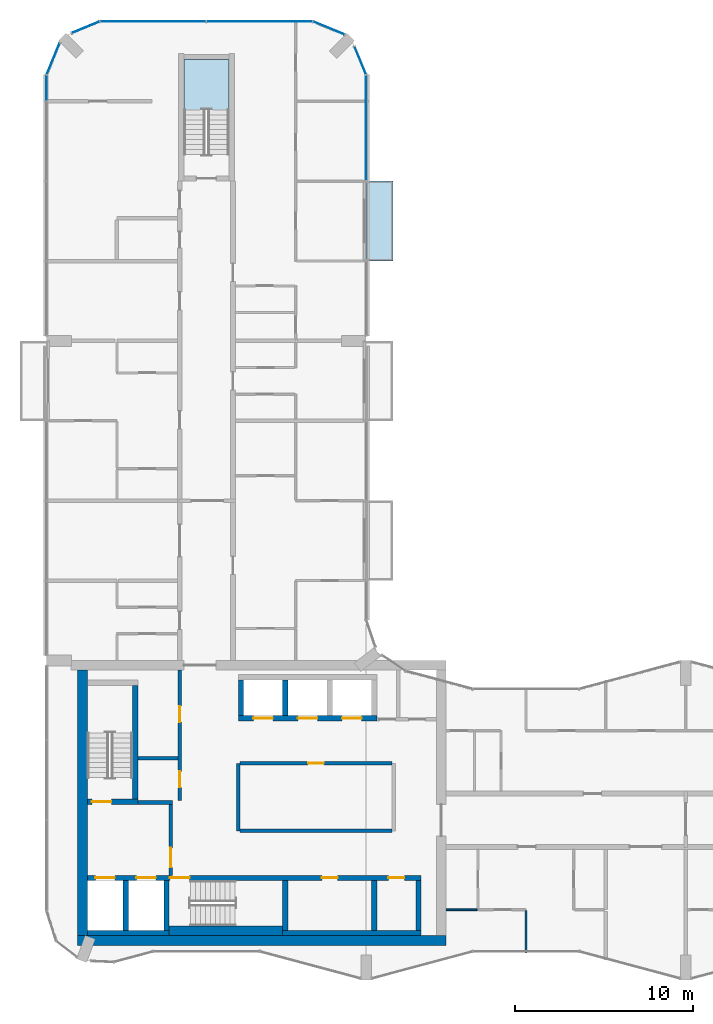
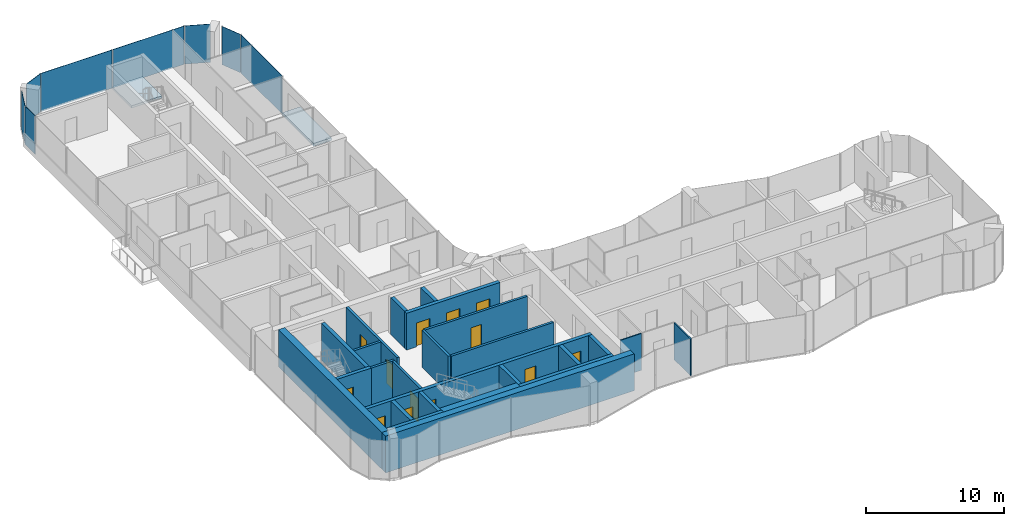
# One storey, part 9 of 15: 25 walls, 13 doors, 8 plates, 2 slabs, 13 openings, 8 elements without a shape of their own.
"""IFC4 building model written with IfcOpenShell, lengths in metres."""

import ifcopenshell
import ifcopenshell.guid

model = None  # the IFC model being written
_history = None  # IfcOwnerHistory: only IFC2X3 demands one
_inside = {}  # id of a spatial element -> (the spatial element, [elements in it])
_under = {}  # id of a project, library or spatial element -> (it, [spatial elements below it])
_declared = {}  # id of a project -> (the project, [libraries it declares])
_typed = {}  # id of a type object -> (the type object, [elements of that type])
_made_of = {}  # id of a material, layer set ... -> (it, [elements and type objects made of it])


def new_model(schema):
    """Start an empty IFC model of exactly this schema.

    Asked for "IFC4X3", IfcOpenShell would pick the latest addendum, in which some entities
    have other attributes; the version numbers below select the first issue.
    IFC2X3 requires an IfcOwnerHistory on every rooted entity: one is made here for all.
    """
    global model, _history
    if schema == "IFC4X3":
        model = ifcopenshell.file(schema_version=(4, 3, 0, 0))
    else:
        model = ifcopenshell.file(schema=schema)
    _inside.clear()
    _under.clear()
    _declared.clear()
    _typed.clear()
    _made_of.clear()
    _history = None
    if model.schema == "IFC2X3":
        org = make("IfcOrganization", Name="unknown")
        user = make(
            "IfcPersonAndOrganization",
            ThePerson=make("IfcPerson", FamilyName="unknown"),
            TheOrganization=org,
        )
        app = make(
            "IfcApplication",
            ApplicationDeveloper=org,
            Version="unknown",
            ApplicationFullName="unknown",
            ApplicationIdentifier="unknown",
        )
        _history = make(
            "IfcOwnerHistory",
            OwningUser=user,
            OwningApplication=app,
            ChangeAction="ADDED",
            CreationDate=0,
        )
    return model


def make(cls, **values):
    """One entity of the class cls with the attributes given. An attribute that is None is left unset."""
    return model.create_entity(
        cls, **{name: value for name, value in values.items() if value is not None}
    )


def rooted(cls, **values):
    """An entity with a GlobalId (a new one), such as an element, a storey or a relation."""
    return make(cls, GlobalId=ifcopenshell.guid.new(), OwnerHistory=_history, **values)


def si_unit(unit_type, name, prefix=None):
    """IfcSIUnit, for example si_unit("LENGTHUNIT", "METRE", prefix="MILLI")."""
    return make("IfcSIUnit", UnitType=unit_type, Prefix=prefix, Name=name)


def assignment(units):
    """IfcUnitAssignment: the units of a project."""
    return None if units is None else make("IfcUnitAssignment", Units=units)


def point(xyz):
    """IfcCartesianPoint."""
    return None if xyz is None else make("IfcCartesianPoint", Coordinates=xyz)


def direction(xyz):
    """IfcDirection."""
    return None if xyz is None else make("IfcDirection", DirectionRatios=xyz)


def frame(location, z_axis=None, x_axis=None):
    """IfcAxis2Placement3D, a coordinate frame: its origin and axes. An axis left out is left unset."""
    return make(
        "IfcAxis2Placement3D",
        Location=point(location),
        Axis=direction(z_axis),
        RefDirection=direction(x_axis),
    )


def frame_2d(location, x_axis=None):
    """IfcAxis2Placement2D, a coordinate frame in the plane: its origin and x axis."""
    return make(
        "IfcAxis2Placement2D", Location=point(location), RefDirection=direction(x_axis)
    )


def origin():
    """The frame at (0, 0, 0) with its axes left unset."""
    return frame((0.0, 0.0, 0.0))


def origin_2d():
    """The frame at (0, 0) in the plane with its x axis left unset."""
    return frame_2d((0.0, 0.0))


def place(relative_to, where):
    """IfcLocalPlacement: puts the frame where relative to a parent placement (None: the world)."""
    return make(
        "IfcLocalPlacement", PlacementRelTo=relative_to, RelativePlacement=where
    )


def context(
    kind, dimensions, precision=None, world=None, true_north=None, identifier=None
):
    """IfcGeometricRepresentationContext, for example the 3D "Model" context."""
    return make(
        "IfcGeometricRepresentationContext",
        ContextIdentifier=identifier,
        ContextType=kind,
        CoordinateSpaceDimension=dimensions,
        Precision=precision,
        WorldCoordinateSystem=world,
        TrueNorth=true_north,
    )


def subcontext(parent, identifier, kind, view, scale=None):
    """IfcGeometricRepresentationSubContext, for example "Body" below "Model"."""
    return make(
        "IfcGeometricRepresentationSubContext",
        ContextIdentifier=identifier,
        ContextType=kind,
        ParentContext=parent,
        TargetScale=scale,
        TargetView=view,
    )


def project(units=None, contexts=None):
    """IfcProject with its units and contexts."""
    return rooted(
        "IfcProject",
        Name="project",
        RepresentationContexts=contexts,
        UnitsInContext=assignment(units),
    )


def spatial(cls, under=None, at=None, **own):
    """A site, building, storey or space (cls), placed at a placement, below another one or the project."""
    s = rooted(cls, ObjectPlacement=at, **own)
    if under is not None:
        _under.setdefault(under.id(), (under, []))[1].append(s)
    return s


def polyline(points):
    """IfcPolyline through the points."""
    return make("IfcPolyline", Points=[point(p) for p in points])


def profile(cls, at=None, kind="AREA", **sizes):
    """A parametric profile (cls). Its sizes go by their IFC names, for example OverallWidth=200.0."""
    return make(cls, ProfileType=kind, Position=at, **sizes)


def rectangle(**sizes):
    """IfcRectangleProfileDef."""
    return profile("IfcRectangleProfileDef", **sizes)


def outline(outer, holes=None, kind="AREA"):
    """IfcArbitraryClosedProfileDef: a profile drawn as a closed curve; with holes, ...WithVoids."""
    if holes is None:
        return make("IfcArbitraryClosedProfileDef", ProfileType=kind, OuterCurve=outer)
    return make(
        "IfcArbitraryProfileDefWithVoids",
        ProfileType=kind,
        OuterCurve=outer,
        InnerCurves=holes,
    )


def extrude(swept, where, along, depth):
    """IfcExtrudedAreaSolid: the profile swept, set in the frame where, extruded along a direction by depth."""
    return make(
        "IfcExtrudedAreaSolid",
        SweptArea=swept,
        Position=where,
        ExtrudedDirection=direction(along),
        Depth=depth,
    )


def shape(context_of_items, identifier, shape_type, items):
    """IfcShapeRepresentation: the items that make up one representation, for example the "Body"."""
    return make(
        "IfcShapeRepresentation",
        ContextOfItems=context_of_items,
        RepresentationIdentifier=identifier,
        RepresentationType=shape_type,
        Items=items,
    )


def material(Name=None, Category=None):
    """IfcMaterial."""
    return make("IfcMaterial", Name=Name, Category=Category)


def layer(
    of_material, thickness, ventilated=None, Name=None, Category=None, Priority=None
):
    """IfcMaterialLayer: one layer of a wall or slab, of a material (None: an air gap)."""
    return make(
        "IfcMaterialLayer",
        Material=of_material,
        LayerThickness=thickness,
        IsVentilated=ventilated,
        Name=Name,
        Category=Category,
        Priority=Priority,
    )


def layer_set(layers, Name=None):
    """IfcMaterialLayerSet."""
    return make("IfcMaterialLayerSet", MaterialLayers=layers, LayerSetName=Name)


def made_of(thing, what):
    """Note that an element or type object is made of a material, layer set ...; save() writes the relation."""
    if what is not None:
        _made_of.setdefault(what.id(), (what, []))[1].append(thing)
    return thing


def type_object(cls, material=None, **own):
    """A type object (cls), such as IfcWallType, which elements share."""
    return made_of(rooted(cls, **own), material)


def element(
    cls,
    number,
    at=None,
    inside=None,
    cuts=None,
    type_object=None,
    material=None,
    context=None,
    identifier="Body",
    shape_type=None,
    held_by="IfcProductDefinitionShape",
    body=None,
    shapes=None,
    **own,
):
    """One element of the class cls, such as IfcWall. Its Tag is "e" and its number.

    at: its placement. inside: the storey or other place that contains it. cuts: it is an
    opening in that element (IfcRelVoidsElement). A single representation is given by context,
    identifier, shape_type and body (its items); several are given by shapes. held_by: the class
    of the entity that holds the representations. save() writes the other relations.
    """
    e = rooted(cls, Tag="e%d" % number, ObjectPlacement=at, **own)
    if body is not None:
        shapes = [shape(context, identifier, shape_type, body)]
    if shapes is not None:
        e.Representation = make(held_by, Representations=shapes)
    if inside is not None:
        _inside.setdefault(inside.id(), (inside, []))[1].append(e)
    if cuts is not None:
        rooted(
            "IfcRelVoidsElement", RelatingBuildingElement=cuts, RelatedOpeningElement=e
        )
    if type_object is not None:
        _typed.setdefault(type_object.id(), (type_object, []))[1].append(e)
    return made_of(e, material)


def fill(opening, filler):
    """IfcRelFillsElement: the door or window that sits in an opening."""
    return rooted(
        "IfcRelFillsElement",
        RelatingOpeningElement=opening,
        RelatedBuildingElement=filler,
    )


def aggregate(whole, parts):
    """IfcRelAggregates: a whole, such as a stair, and the parts it consists of."""
    return rooted("IfcRelAggregates", RelatingObject=whole, RelatedObjects=parts)


def save(model, path):
    """Write the relations noted so far, then the file.

    IfcRelAggregates (storeys below a building ...), IfcRelContainedInSpatialStructure (elements
    in a storey), IfcRelDefinesByType, IfcRelAssociatesMaterial and IfcRelDeclares: one each for
    every whole, place, type object, material and project.
    """
    for whole, parts in _under.values():
        aggregate(whole, parts)
    for where, things in _inside.values():
        rooted(
            "IfcRelContainedInSpatialStructure",
            RelatedElements=things,
            RelatingStructure=where,
        )
    for kind, things in _typed.values():
        rooted("IfcRelDefinesByType", RelatedObjects=things, RelatingType=kind)
    for what, things in _made_of.values():
        rooted("IfcRelAssociatesMaterial", RelatedObjects=things, RelatingMaterial=what)
    for by, libraries in _declared.values():
        rooted("IfcRelDeclares", RelatingContext=by, RelatedDefinitions=libraries)
    model.write(path)


model = new_model("IFC4")

# Units and contexts
model_context = context("Model", 3, precision=1e-05, world=origin(), true_north=direction((0.0, 1.0)))
body_context = subcontext(model_context, "Body", "Model", "MODEL_VIEW")
ifc_project = project(units=[si_unit("LENGTHUNIT", "METRE"), si_unit("AREAUNIT", "SQUARE_METRE"), si_unit("VOLUMEUNIT", "CUBIC_METRE"), si_unit("PLANEANGLEUNIT", "RADIAN"), si_unit("MASSUNIT", "GRAM", prefix="KILO")], contexts=[model_context])

# Site, building, storey
site_placement = place(None, origin())
site = spatial("IfcSite", under=ifc_project, at=site_placement, CompositionType="ELEMENT")
building_placement = place(site_placement, origin())
building = spatial("IfcBuilding", under=site, at=building_placement, Name="Plateau Cross Towers", CompositionType="ELEMENT")
storey_placement = place(building_placement, frame((0.0, 0.0, 208.39990234375)))
storey = spatial("IfcBuildingStorey", under=building, at=storey_placement, Name="L54", CompositionType="ELEMENT", Elevation=208.39990234375)

# Slab
ifc_material_1 = material(Name="Concrete C40/50", Category="concrete")
ifc_layer_1 = layer(ifc_material_1, 0.25)
ifc_layer_set_1 = layer_set([ifc_layer_1], Name="Concrete C40/50")
slab_type_1 = type_object("IfcSlabType", Name="Balcony slab 250", PredefinedType="FLOOR", material=ifc_layer_set_1)
slab_1_placement = place(storey_placement, frame((0.0, 0.0, -0.25)))
element("IfcSlab", 1, at=slab_1_placement, inside=storey, type_object=slab_type_1, Name="Balcony slab A-BAL-L54-04", PredefinedType="FLOOR", context=body_context, shape_type="SweptSolid", body=[
    extrude(outline(polyline([(19.5, 40.5), (19.5, 45.0), (18.0, 45.0), (18.0, 40.5), (19.5, 40.5)])), origin(), (0.0, 0.0, 1.0), 0.25),
])

# Curtain wall, plate
ifc_material_2 = material(Name="Dark low-iron glass", Category="glass")
ifc_layer_2 = layer(ifc_material_2, 0.239990234375)
ifc_layer_set_2 = layer_set([ifc_layer_2], Name="Dark low-iron glass")
curtain_wall_type = type_object("IfcCurtainWallType", Name="Curtain wall flush unitised CW-B", PredefinedType="NOTDEFINED", material=ifc_layer_set_2)
curtain_wall_1_placement = place(storey_placement, origin())
curtain_wall_1 = element("IfcCurtainWall", 2, at=curtain_wall_1_placement, inside=storey, type_object=curtain_wall_type, Name="ENV/A/L54/A180_450", PredefinedType="NOTDEFINED")
ifc_layer_3 = layer(ifc_material_2, 0.031982421875)
ifc_layer_set_3 = layer_set([ifc_layer_3], Name="Dark low-iron glass")
plate_type = type_object("IfcPlateType", Name="Glass panel 32 flush unitised", PredefinedType="CURTAIN_PANEL", material=ifc_layer_set_3)
plate_1_placement = place(storey_placement, frame((18.0, 48.0048828125, -0.1298828125), z_axis=(0.0, 0.0, 1.0), x_axis=(0.0, 1.0, 0.0)))
plate_1 = element("IfcPlate", 3, at=plate_1_placement, type_object=plate_type, Name="CW-B panel 1", PredefinedType="CURTAIN_PANEL", context=body_context, shape_type="SweptSolid", body=[
    extrude(rectangle(XDim=5.929931640625, YDim=0.031982421875, at=origin_2d()), origin(), (0.0, 0.0, 1.0), 3.3798828125),
])
aggregate(curtain_wall_1, [plate_1])

curtain_wall_2_placement = place(storey_placement, origin())
curtain_wall_2 = element("IfcCurtainWall", 4, at=curtain_wall_2_placement, inside=storey, type_object=curtain_wall_type, Name="ENV/A/L54/A180_510", PredefinedType="NOTDEFINED")
plate_2_placement = place(storey_placement, frame((17.66943359375, 51.79833984375, -0.1298828125), z_axis=(0.0, 0.0, 1.0), x_axis=(-0.382683612978, 0.923879457699, 0.0)))
plate_2 = element("IfcPlate", 5, at=plate_2_placement, type_object=plate_type, Name="CW-B panel 1", PredefinedType="CURTAIN_PANEL", context=body_context, shape_type="SweptSolid", body=[
    extrude(rectangle(XDim=1.668212890625, YDim=0.031982421875, at=origin_2d()), origin(), (0.0, 0.0, 1.0), 3.3798828125),
])
aggregate(curtain_wall_2, [plate_2])

curtain_wall_3_placement = place(storey_placement, origin())
curtain_wall_3 = element("IfcCurtainWall", 6, at=curtain_wall_3_placement, inside=storey, type_object=curtain_wall_type, Name="ENV/A/L54/A168_533", PredefinedType="NOTDEFINED")
plate_3_placement = place(storey_placement, frame((15.90283203125, 53.6259765625, -0.1298828125), z_axis=(0.0, 0.0, 1.0), x_axis=(-0.923879457699, 0.382683612978, 0.0)))
plate_3 = element("IfcPlate", 7, at=plate_3_placement, type_object=plate_type, Name="CW-B panel 1", PredefinedType="CURTAIN_PANEL", context=body_context, shape_type="SweptSolid", body=[
    extrude(rectangle(XDim=1.894775390625, YDim=0.031982421875, at=origin_2d()), origin(), (0.0, 0.0, 1.0), 3.3798828125),
])
aggregate(curtain_wall_3, [plate_3])

# Curtain wall, plates
curtain_wall_4_placement = place(storey_placement, origin())
curtain_wall_4 = element("IfcCurtainWall", 8, at=curtain_wall_4_placement, inside=storey, type_object=curtain_wall_type, Name="ENV/A/L54/A150_540", PredefinedType="NOTDEFINED")
plate_4_placement = place(storey_placement, frame((12.0, 54.0, -0.1298828125), z_axis=(0.0, 0.0, 1.0), x_axis=(-1.0, 0.0, 0.0)))
plate_4 = element("IfcPlate", 9, at=plate_4_placement, type_object=plate_type, Name="CW-B panel 1", PredefinedType="CURTAIN_PANEL", context=body_context, shape_type="SweptSolid", body=[
    extrude(rectangle(XDim=5.93994140625, YDim=0.031982421875, at=origin_2d()), origin(), (0.0, 0.0, 1.0), 3.3798828125),
])
plate_5_placement = place(storey_placement, frame((6.0, 54.0, -0.1298828125), z_axis=(0.0, 0.0, 1.0), x_axis=(-1.0, 0.0, 0.0)))
plate_5 = element("IfcPlate", 10, at=plate_5_placement, type_object=plate_type, Name="CW-B panel 2", PredefinedType="CURTAIN_PANEL", context=body_context, shape_type="SweptSolid", body=[
    extrude(rectangle(XDim=5.93994140625, YDim=0.031982421875, at=origin_2d()), origin(), (0.0, 0.0, 1.0), 3.3798828125),
])
aggregate(curtain_wall_4, [plate_4, plate_5])

# Curtain wall, plate
curtain_wall_5_placement = place(storey_placement, origin())
curtain_wall_5 = element("IfcCurtainWall", 11, at=curtain_wall_5_placement, inside=storey, type_object=curtain_wall_type, Name="ENV/A/L54/A30_540", PredefinedType="NOTDEFINED")
plate_6_placement = place(storey_placement, frame((2.20166015625, 53.66943359375, -0.1298828125), z_axis=(0.0, 0.0, 1.0), x_axis=(-0.923879457699, -0.382683612978, 0.0)))
plate_6 = element("IfcPlate", 12, at=plate_6_placement, type_object=plate_type, Name="CW-B panel 1", PredefinedType="CURTAIN_PANEL", context=body_context, shape_type="SweptSolid", body=[
    extrude(rectangle(XDim=1.668212890625, YDim=0.031982421875, at=origin_2d()), origin(), (0.0, 0.0, 1.0), 3.3798828125),
])
aggregate(curtain_wall_5, [plate_6])

curtain_wall_6_placement = place(storey_placement, origin())
curtain_wall_6 = element("IfcCurtainWall", 13, at=curtain_wall_6_placement, inside=storey, type_object=curtain_wall_type, Name="ENV/A/L54/A7_528", PredefinedType="NOTDEFINED")
plate_7_placement = place(storey_placement, frame((0.3740234375, 51.90283203125, -0.1298828125), z_axis=(0.0, 0.0, 1.0), x_axis=(-0.382683612978, -0.923879457699, 0.0)))
plate_7 = element("IfcPlate", 14, at=plate_7_placement, type_object=plate_type, Name="CW-B panel 1", PredefinedType="CURTAIN_PANEL", context=body_context, shape_type="SweptSolid", body=[
    extrude(rectangle(XDim=1.894775390625, YDim=0.031982421875, at=origin_2d()), origin(), (0.0, 0.0, 1.0), 3.3798828125),
])
aggregate(curtain_wall_6, [plate_7])

curtain_wall_7_placement = place(storey_placement, origin())
curtain_wall_7 = element("IfcCurtainWall", 15, at=curtain_wall_7_placement, inside=storey, type_object=curtain_wall_type, Name="ENV/A/L54/A0_510", PredefinedType="NOTDEFINED")
plate_8_placement = place(storey_placement, frame((0.0, 50.25, -0.1298828125), z_axis=(0.0, 0.0, 1.0), x_axis=(0.0, -1.0, 0.0)))
plate_8 = element("IfcPlate", 16, at=plate_8_placement, type_object=plate_type, Name="CW-B panel 1", PredefinedType="CURTAIN_PANEL", context=body_context, shape_type="SweptSolid", body=[
    extrude(rectangle(XDim=1.43994140625, YDim=0.031982421875, at=origin_2d()), origin(), (0.0, 0.0, 1.0), 3.3798828125),
])
aggregate(curtain_wall_7, [plate_8])

# Stair, slab
stair_type = type_object("IfcStairType", Name="ST-TWR", PredefinedType="HALF_TURN_STAIR", material=ifc_material_1)
stair_placement = place(storey_placement, origin())
stair = element("IfcStair", 17, at=stair_placement, inside=storey, type_object=stair_type, Name="L54 Protected Exit Stair N", PredefinedType="HALF_TURN_STAIR")
ifc_layer_4 = layer(ifc_material_1, 0.199951171875)
ifc_layer_set_4 = layer_set([ifc_layer_4], Name="Concrete C40/50")
slab_type_2 = type_object("IfcSlabType", Name="SL-LANDING", PredefinedType="LANDING", material=ifc_layer_set_4)
slab_2_placement = place(storey_placement, frame((0.0, 0.0, 1.550048828125)))
slab_2 = element("IfcSlab", 18, at=slab_2_placement, type_object=slab_type_2, Name="ES-N landing 1", PredefinedType="LANDING", context=body_context, shape_type="SweptSolid", body=[
    extrude(outline(polyline([(10.27490234375, 49.02001953125), (10.27490234375, 51.85009765625), (7.72509765625, 51.85009765625), (7.72509765625, 49.02001953125), (10.27490234375, 49.02001953125)])), origin(), (0.0, 0.0, 1.0), 0.199951171875),
])
aggregate(stair, [slab_2])

# Wall, opening, door
ifc_material_3 = material(Name="Concrete block, plastered both sides", Category="concrete")
ifc_layer_5 = layer(ifc_material_3, 0.199951171875)
ifc_layer_set_5 = layer_set([ifc_layer_5], Name="Concrete block, plastered both sides")
wall_type_1 = type_object("IfcWallType", Name="Core partition 200", PredefinedType="PARTITIONING", material=ifc_layer_set_5)
wall_1_placement = place(storey_placement, frame((7.0, 5.89990234375, 0.0), z_axis=(0.0, 0.0, 1.0), x_axis=(0.0, 1.0, 0.0)))
wall_1 = element("IfcWall", 19, at=wall_1_placement, inside=storey, type_object=wall_type_1, Name="Core partition", PredefinedType="PARTITIONING", context=body_context, shape_type="SweptSolid", body=[
    extrude(rectangle(XDim=4.0, YDim=0.199951171875, at=frame_2d((2.0, 0.0))), origin(), (0.0, 0.0, 1.0), 3.25),
])
opening_1_placement = place(wall_1_placement, frame((0.449951171875, 0.0, 0.0)))
opening_1 = element("IfcOpeningElement", 20, at=opening_1_placement, cuts=wall_1, Name="Opening FFD", PredefinedType="OPENING", context=body_context, shape_type="SweptSolid", body=[
    extrude(rectangle(XDim=1.10009765625, YDim=2.10009765625, at=frame_2d((0.550048828125, 1.050048828125))), frame((0.0, 0.10986328125, 0.0), z_axis=(0.0, -1.0, 0.0), x_axis=(1.0, 0.0, 0.0)), (0.0, 0.0, 1.0), 0.219970703125),
])
ifc_material_4 = material(Name="Steel, fire-resisting leaf", Category="steel")
door_type_1 = type_object("IfcDoorType", Name="Firefighting lobby door 1100", OperationType="NOTDEFINED", PredefinedType="DOOR", material=ifc_material_4)
door_1_placement = place(opening_1_placement, origin())
door_1 = element("IfcDoor", 21, at=door_1_placement, inside=storey, type_object=door_type_1, Name="Firefighting lobby door FFD", OperationType="SINGLE_SWING_LEFT", OverallHeight=2.10009765625, OverallWidth=1.10009765625, PredefinedType="DOOR", context=body_context, shape_type="SweptSolid", body=[
    extrude(rectangle(XDim=1.10009765625, YDim=2.10009765625, at=frame_2d((0.550048828125, 1.050048828125))), frame((0.0, 0.02490234375, 0.0), z_axis=(0.0, -1.0, 0.0), x_axis=(1.0, 0.0, 0.0)), (0.0, 0.0, 1.0), 0.050048828125),
])
fill(opening_1, door_1)

# Walls
wall_2_placement = place(storey_placement, frame((5.14990234375, 10.0, 0.0), z_axis=(0.0, 0.0, 1.0), x_axis=(1.0, 0.0, 0.0)))
element("IfcWall", 22, at=wall_2_placement, inside=storey, type_object=wall_type_1, Name="Core partition", PredefinedType="PARTITIONING", context=body_context, shape_type="SweptSolid", body=[
    extrude(rectangle(XDim=1.9501953125, YDim=0.199951171875, at=frame_2d((0.97509765625, 0.0))), origin(), (0.0, 0.0, 1.0), 3.25),
])
wall_3_placement = place(storey_placement, frame((10.800048828125, 8.39990234375, 0.0), z_axis=(0.0, 0.0, 1.0), x_axis=(0.0, 1.0, 0.0)))
element("IfcWall", 23, at=wall_3_placement, inside=storey, type_object=wall_type_1, Name="Core partition", PredefinedType="PARTITIONING", context=body_context, shape_type="SweptSolid", body=[
    extrude(rectangle(XDim=3.800048828125, YDim=0.199951171875, at=frame_2d((1.89990234375, 0.0))), origin(), (0.0, 0.0, 1.0), 3.25),
])
wall_4_placement = place(storey_placement, frame((10.89990234375, 8.39990234375, 0.0), z_axis=(0.0, 0.0, 1.0), x_axis=(1.0, 0.0, 0.0)))
element("IfcWall", 24, at=wall_4_placement, inside=storey, type_object=wall_type_1, Name="Core partition", PredefinedType="PARTITIONING", context=body_context, shape_type="SweptSolid", body=[
    extrude(rectangle(XDim=8.550048828125, YDim=0.199951171875, at=frame_2d((4.27490234375, 0.0))), origin(), (0.0, 0.0, 1.0), 3.25),
])

# Wall, opening, door
wall_5_placement = place(storey_placement, frame((10.89990234375, 12.199951171875, 0.0), z_axis=(0.0, 0.0, 1.0), x_axis=(1.0, 0.0, 0.0)))
wall_5 = element("IfcWall", 25, at=wall_5_placement, inside=storey, type_object=wall_type_1, Name="Core partition", PredefinedType="PARTITIONING", context=body_context, shape_type="SweptSolid", body=[
    extrude(rectangle(XDim=8.550048828125, YDim=0.199951171875, at=frame_2d((4.27490234375, 0.0))), origin(), (0.0, 0.0, 1.0), 3.25),
])
opening_2_placement = place(wall_5_placement, frame((3.824951171875, 0.0, 0.0)))
opening_2 = element("IfcOpeningElement", 26, at=opening_2_placement, cuts=wall_5, Name="Opening RD1", PredefinedType="OPENING", context=body_context, shape_type="SweptSolid", body=[
    extrude(rectangle(XDim=0.89990234375, YDim=2.10009765625, at=frame_2d((0.449951171875, 1.050048828125))), frame((0.0, 0.10986328125, 0.0), z_axis=(0.0, -1.0, 0.0), x_axis=(1.0, 0.0, 0.0)), (0.0, 0.0, 1.0), 0.219970703125),
])
ifc_material_5 = material(Name="Timber, fire-resisting leaf", Category="wood")
door_type_2 = type_object("IfcDoorType", Name="Core service door 900", OperationType="NOTDEFINED", PredefinedType="DOOR", material=ifc_material_5)
door_2_placement = place(opening_2_placement, origin())
door_2 = element("IfcDoor", 27, at=door_2_placement, inside=storey, type_object=door_type_2, Name="Core service door RD1", OperationType="SINGLE_SWING_LEFT", OverallHeight=2.10009765625, OverallWidth=0.89990234375, PredefinedType="DOOR", context=body_context, shape_type="SweptSolid", body=[
    extrude(rectangle(XDim=0.89990234375, YDim=2.10009765625, at=frame_2d((0.449951171875, 1.050048828125))), frame((0.0, 0.02490234375, 0.0), z_axis=(0.0, -1.0, 0.0), x_axis=(1.0, 0.0, 0.0)), (0.0, 0.0, 1.0), 0.050048828125),
])
fill(opening_2, door_2)

# Wall, openings, doors
wall_6_placement = place(storey_placement, frame((7.5, 10.10009765625, 0.0), z_axis=(0.0, 0.0, 1.0), x_axis=(0.0, 1.0, 0.0)))
wall_6 = element("IfcWall", 28, at=wall_6_placement, inside=storey, type_object=wall_type_1, Name="Core partition", PredefinedType="PARTITIONING", context=body_context, shape_type="SweptSolid", body=[
    extrude(rectangle(XDim=7.349853515625, YDim=0.199951171875, at=frame_2d((3.6748046875, 0.0))), origin(), (0.0, 0.0, 1.0), 3.25),
])
opening_3_placement = place(wall_6_placement, frame((0.75, 0.0, 0.0)))
opening_3 = element("IfcOpeningElement", 29, at=opening_3_placement, cuts=wall_6, Name="Opening RD1", PredefinedType="OPENING", context=body_context, shape_type="SweptSolid", body=[
    extrude(rectangle(XDim=0.89990234375, YDim=2.10009765625, at=frame_2d((0.449951171875, 1.050048828125))), frame((0.0, 0.10986328125, 0.0), z_axis=(0.0, -1.0, 0.0), x_axis=(1.0, 0.0, 0.0)), (0.0, 0.0, 1.0), 0.219970703125),
])
opening_4_placement = place(wall_6_placement, frame((4.425048828125, 0.0, 0.0)))
opening_4 = element("IfcOpeningElement", 30, at=opening_4_placement, cuts=wall_6, Name="Opening RD1", PredefinedType="OPENING", context=body_context, shape_type="SweptSolid", body=[
    extrude(rectangle(XDim=0.89990234375, YDim=2.10009765625, at=frame_2d((0.449951171875, 1.050048828125))), frame((0.0, 0.10986328125, 0.0), z_axis=(0.0, -1.0, 0.0), x_axis=(1.0, 0.0, 0.0)), (0.0, 0.0, 1.0), 0.219970703125),
])
door_3_placement = place(opening_3_placement, origin())
door_3 = element("IfcDoor", 31, at=door_3_placement, inside=storey, type_object=door_type_2, Name="Core service door RD1", OperationType="SINGLE_SWING_RIGHT", OverallHeight=2.10009765625, OverallWidth=0.89990234375, PredefinedType="DOOR", context=body_context, shape_type="SweptSolid", body=[
    extrude(rectangle(XDim=0.89990234375, YDim=2.10009765625, at=frame_2d((0.449951171875, 1.050048828125))), frame((0.0, 0.02490234375, 0.0), z_axis=(0.0, -1.0, 0.0), x_axis=(1.0, 0.0, 0.0)), (0.0, 0.0, 1.0), 0.050048828125),
])
fill(opening_3, door_3)
door_4_placement = place(opening_4_placement, origin())
door_4 = element("IfcDoor", 32, at=door_4_placement, inside=storey, type_object=door_type_2, Name="Core service door RD1", OperationType="SINGLE_SWING_RIGHT", OverallHeight=2.10009765625, OverallWidth=0.89990234375, PredefinedType="DOOR", context=body_context, shape_type="SweptSolid", body=[
    extrude(rectangle(XDim=0.89990234375, YDim=2.10009765625, at=frame_2d((0.449951171875, 1.050048828125))), frame((0.0, 0.02490234375, 0.0), z_axis=(0.0, -1.0, 0.0), x_axis=(1.0, 0.0, 0.0)), (0.0, 0.0, 1.0), 0.050048828125),
])
fill(opening_4, door_4)

# Walls
wall_7_placement = place(storey_placement, frame((5.14990234375, 12.5, 0.0), z_axis=(0.0, 0.0, 1.0), x_axis=(1.0, 0.0, 0.0)))
element("IfcWall", 33, at=wall_7_placement, inside=storey, type_object=wall_type_1, Name="Core partition", PredefinedType="PARTITIONING", context=body_context, shape_type="SweptSolid", body=[
    extrude(rectangle(XDim=2.25, YDim=0.199951171875, at=frame_2d((1.125, 0.0))), origin(), (0.0, 0.0, 1.0), 3.25),
])
ifc_material_6 = material(Name="Concrete C60/75", Category="concrete")
ifc_layer_6 = layer(ifc_material_6, 0.300048828125)
ifc_layer_set_6 = layer_set([ifc_layer_6], Name="Concrete C60/75")
wall_type_2 = type_object("IfcWallType", Name="Core shaft wall 300", PredefinedType="SHEAR", material=ifc_layer_set_6)
wall_8_placement = place(storey_placement, frame((2.300048828125, 2.64990234375, 0.0), z_axis=(0.0, 0.0, 1.0), x_axis=(1.0, 0.0, 0.0)))
element("IfcWall", 34, at=wall_8_placement, inside=storey, type_object=wall_type_2, Name="A-sb-back1@L54", PredefinedType="SHEAR", context=body_context, shape_type="SweptSolid", body=[
    extrude(rectangle(XDim=4.599853515625, YDim=0.300048828125, at=frame_2d((2.2998046875, 0.0))), origin(), (0.0, 0.0, 1.0), 3.25),
])
wall_9_placement = place(storey_placement, frame((13.300048828125, 2.64990234375, 0.0), z_axis=(0.0, 0.0, 1.0), x_axis=(1.0, 0.0, 0.0)))
element("IfcWall", 35, at=wall_9_placement, inside=storey, type_object=wall_type_2, Name="A-sb-back3@L54", PredefinedType="SHEAR", context=body_context, shape_type="SweptSolid", body=[
    extrude(rectangle(XDim=7.800048828125, YDim=0.300048828125, at=frame_2d((3.89990234375, 0.0))), origin(), (0.0, 0.0, 1.0), 3.25),
])
for number, where, z_axis, x_axis, name in (
    (36, (4.449951171875, 2.800048828125, 0.0), (0.0, 0.0, 1.0), (0.0, 1.0, 0.0), "A-sb-v1@L54"),
    (37, (6.75, 2.800048828125, 0.0), (0.0, 0.0, 1.0), (0.0, 1.0, 0.0), "A-sb-v2@L54"),
    (38, (13.449951171875, 2.800048828125, 0.0), (0.0, 0.0, 1.0), (0.0, 1.0, 0.0), "A-sb-v3@L54"),
    (39, (18.449951171875, 2.800048828125, 0.0), (0.0, 0.0, 1.0), (0.0, 1.0, 0.0), "A-sb-v5@L54"),
    (40, (20.949951171875, 2.800048828125, 0.0), (0.0, 0.0, 1.0), (0.0, 1.0, 0.0), "A-sb-v6@L54"),
):
    element("IfcWall", number, at=place(storey_placement, frame(where, z_axis=z_axis, x_axis=x_axis)), inside=storey, type_object=wall_type_2, Name=name, PredefinedType="SHEAR", context=body_context, shape_type="SweptSolid", body=[
        extrude(rectangle(XDim=2.800048828125, YDim=0.300048828125, at=frame_2d((1.39990234375, 0.0))), origin(), (0.0, 0.0, 1.0), 3.25),
    ])

# Wall, openings, doors
wall_10_placement = place(storey_placement, frame((2.300048828125, 5.75, 0.0), z_axis=(0.0, 0.0, 1.0), x_axis=(1.0, 0.0, 0.0)))
wall_10 = element("IfcWall", 41, at=wall_10_placement, inside=storey, type_object=wall_type_2, Name="A-sb-front@L54", PredefinedType="SHEAR", context=body_context, shape_type="SweptSolid", body=[
    extrude(rectangle(XDim=18.800048828125, YDim=0.300048828125, at=frame_2d((9.39990234375, 0.0))), origin(), (0.0, 0.0, 1.0), 3.25),
])
opening_5_placement = place(wall_10_placement, frame((4.64990234375, 0.0, 0.0)))
opening_5 = element("IfcOpeningElement", 42, at=opening_5_placement, cuts=wall_10, Name="Opening SD", PredefinedType="OPENING", context=body_context, shape_type="SweptSolid", body=[
    extrude(rectangle(XDim=1.10009765625, YDim=2.10009765625, at=frame_2d((0.550048828125, 1.050048828125))), frame((0.0, 0.159912109375, 0.0), z_axis=(0.0, -1.0, 0.0), x_axis=(1.0, 0.0, 0.0)), (0.0, 0.0, 1.0), 0.320068359375),
])
opening_6_placement = place(wall_10_placement, frame((0.449951171875, 0.0, 0.0)))
opening_6 = element("IfcOpeningElement", 43, at=opening_6_placement, cuts=wall_10, Name="Opening LD", PredefinedType="OPENING", context=body_context, shape_type="SweptSolid", body=[
    extrude(rectangle(XDim=1.10009765625, YDim=2.10009765625, at=frame_2d((0.550048828125, 1.050048828125))), frame((0.0, 0.159912109375, 0.0), z_axis=(0.0, -1.0, 0.0), x_axis=(1.0, 0.0, 0.0)), (0.0, 0.0, 1.0), 0.320068359375),
])
opening_7_placement = place(wall_10_placement, frame((2.75, 0.0, 0.0)))
opening_7 = element("IfcOpeningElement", 44, at=opening_7_placement, cuts=wall_10, Name="Opening LD", PredefinedType="OPENING", context=body_context, shape_type="SweptSolid", body=[
    extrude(rectangle(XDim=1.10009765625, YDim=2.10009765625, at=frame_2d((0.550048828125, 1.050048828125))), frame((0.0, 0.159912109375, 0.0), z_axis=(0.0, -1.0, 0.0), x_axis=(1.0, 0.0, 0.0)), (0.0, 0.0, 1.0), 0.320068359375),
])
opening_8_placement = place(wall_10_placement, frame((13.199951171875, 0.0, 0.0)))
opening_8 = element("IfcOpeningElement", 45, at=opening_8_placement, cuts=wall_10, Name="Opening RD2", PredefinedType="OPENING", context=body_context, shape_type="SweptSolid", body=[
    extrude(rectangle(XDim=0.89990234375, YDim=2.10009765625, at=frame_2d((0.449951171875, 1.050048828125))), frame((0.0, 0.159912109375, 0.0), z_axis=(0.0, -1.0, 0.0), x_axis=(1.0, 0.0, 0.0)), (0.0, 0.0, 1.0), 0.320068359375),
])
opening_9_placement = place(wall_10_placement, frame((16.949951171875, 0.0, 0.0)))
opening_9 = element("IfcOpeningElement", 46, at=opening_9_placement, cuts=wall_10, Name="Opening RD2", PredefinedType="OPENING", context=body_context, shape_type="SweptSolid", body=[
    extrude(rectangle(XDim=0.89990234375, YDim=2.10009765625, at=frame_2d((0.449951171875, 1.050048828125))), frame((0.0, 0.159912109375, 0.0), z_axis=(0.0, -1.0, 0.0), x_axis=(1.0, 0.0, 0.0)), (0.0, 0.0, 1.0), 0.320068359375),
])
door_type_3 = type_object("IfcDoorType", Name="Core riser door 900", OperationType="NOTDEFINED", PredefinedType="DOOR", material=ifc_material_4)
door_5_placement = place(opening_8_placement, origin())
door_5 = element("IfcDoor", 47, at=door_5_placement, inside=storey, type_object=door_type_3, Name="Core riser door RD2", OperationType="SINGLE_SWING_LEFT", OverallHeight=2.10009765625, OverallWidth=0.89990234375, PredefinedType="DOOR", context=body_context, shape_type="SweptSolid", body=[
    extrude(rectangle(XDim=0.89990234375, YDim=2.10009765625, at=frame_2d((0.449951171875, 1.050048828125))), frame((0.0, 0.02490234375, 0.0), z_axis=(0.0, -1.0, 0.0), x_axis=(1.0, 0.0, 0.0)), (0.0, 0.0, 1.0), 0.050048828125),
])
fill(opening_8, door_5)
door_6_placement = place(opening_9_placement, origin())
door_6 = element("IfcDoor", 48, at=door_6_placement, inside=storey, type_object=door_type_3, Name="Core riser door RD2", OperationType="SINGLE_SWING_LEFT", OverallHeight=2.10009765625, OverallWidth=0.89990234375, PredefinedType="DOOR", context=body_context, shape_type="SweptSolid", body=[
    extrude(rectangle(XDim=0.89990234375, YDim=2.10009765625, at=frame_2d((0.449951171875, 1.050048828125))), frame((0.0, 0.02490234375, 0.0), z_axis=(0.0, -1.0, 0.0), x_axis=(1.0, 0.0, 0.0)), (0.0, 0.0, 1.0), 0.050048828125),
])
fill(opening_9, door_6)
ifc_material_7 = material(Name="Stainless steel, fire-resisting sliding leaves", Category="steel")
door_type_4 = type_object("IfcDoorType", Name="Lift landing door 1100", OperationType="NOTDEFINED", PredefinedType="DOOR", material=ifc_material_7)
door_7_placement = place(opening_6_placement, origin())
door_7 = element("IfcDoor", 49, at=door_7_placement, inside=storey, type_object=door_type_4, Name="Lift landing door LD", OperationType="DOUBLE_DOOR_SLIDING", OverallHeight=2.10009765625, OverallWidth=1.10009765625, PredefinedType="DOOR", context=body_context, shape_type="SweptSolid", body=[
    extrude(rectangle(XDim=1.10009765625, YDim=2.10009765625, at=frame_2d((0.550048828125, 1.050048828125))), frame((0.0, 0.02490234375, 0.0), z_axis=(0.0, -1.0, 0.0), x_axis=(1.0, 0.0, 0.0)), (0.0, 0.0, 1.0), 0.050048828125),
])
fill(opening_6, door_7)
door_8_placement = place(opening_7_placement, origin())
door_8 = element("IfcDoor", 50, at=door_8_placement, inside=storey, type_object=door_type_4, Name="Lift landing door LD", OperationType="DOUBLE_DOOR_SLIDING", OverallHeight=2.10009765625, OverallWidth=1.10009765625, PredefinedType="DOOR", context=body_context, shape_type="SweptSolid", body=[
    extrude(rectangle(XDim=1.10009765625, YDim=2.10009765625, at=frame_2d((0.550048828125, 1.050048828125))), frame((0.0, 0.02490234375, 0.0), z_axis=(0.0, -1.0, 0.0), x_axis=(1.0, 0.0, 0.0)), (0.0, 0.0, 1.0), 0.050048828125),
])
fill(opening_7, door_8)
door_type_5 = type_object("IfcDoorType", Name="Stair door 1100", OperationType="NOTDEFINED", PredefinedType="DOOR", material=ifc_material_4)
door_9_placement = place(opening_5_placement, origin())
door_9 = element("IfcDoor", 51, at=door_9_placement, inside=storey, type_object=door_type_5, Name="Stair door SD", OperationType="SINGLE_SWING_LEFT", OverallHeight=2.10009765625, OverallWidth=1.10009765625, PredefinedType="DOOR", context=body_context, shape_type="SweptSolid", body=[
    extrude(rectangle(XDim=1.10009765625, YDim=2.10009765625, at=frame_2d((0.550048828125, 1.050048828125))), frame((0.0, 0.02490234375, 0.0), z_axis=(0.0, -1.0, 0.0), x_axis=(1.0, 0.0, 0.0)), (0.0, 0.0, 1.0), 0.050048828125),
])
fill(opening_5, door_9)

# Wall, opening, door
wall_11_placement = place(storey_placement, frame((2.300048828125, 10.050048828125, 0.0), z_axis=(0.0, 0.0, 1.0), x_axis=(1.0, 0.0, 0.0)))
wall_11 = element("IfcWall", 52, at=wall_11_placement, inside=storey, type_object=wall_type_2, Name="A-st1-S@L54", PredefinedType="SHEAR", context=body_context, shape_type="SweptSolid", body=[
    extrude(rectangle(XDim=2.849853515625, YDim=0.300048828125, at=frame_2d((1.4248046875, 0.0))), origin(), (0.0, 0.0, 1.0), 3.25),
])
opening_10_placement = place(wall_11_placement, frame((0.25, 0.0, 0.0)))
opening_10 = element("IfcOpeningElement", 53, at=opening_10_placement, cuts=wall_11, Name="Opening SD", PredefinedType="OPENING", context=body_context, shape_type="SweptSolid", body=[
    extrude(rectangle(XDim=1.10009765625, YDim=2.10009765625, at=frame_2d((0.550048828125, 1.050048828125))), frame((0.0, 0.159912109375, 0.0), z_axis=(0.0, -1.0, 0.0), x_axis=(1.0, 0.0, 0.0)), (0.0, 0.0, 1.0), 0.320068359375),
])
door_10_placement = place(opening_10_placement, origin())
door_10 = element("IfcDoor", 54, at=door_10_placement, inside=storey, type_object=door_type_5, Name="Stair door SD", OperationType="SINGLE_SWING_RIGHT", OverallHeight=2.10009765625, OverallWidth=1.10009765625, PredefinedType="DOOR", context=body_context, shape_type="SweptSolid", body=[
    extrude(rectangle(XDim=1.10009765625, YDim=2.10009765625, at=frame_2d((0.550048828125, 1.050048828125))), frame((0.0, 0.02490234375, 0.0), z_axis=(0.0, -1.0, 0.0), x_axis=(1.0, 0.0, 0.0)), (0.0, 0.0, 1.0), 0.050048828125),
])
fill(opening_10, door_10)

# Wall
wall_12_placement = place(storey_placement, frame((5.0, 10.199951171875, 0.0), z_axis=(0.0, 0.0, 1.0), x_axis=(0.0, 1.0, 0.0)))
element("IfcWall", 55, at=wall_12_placement, inside=storey, type_object=wall_type_2, Name="A-st1-E@L54", PredefinedType="SHEAR", context=body_context, shape_type="SweptSolid", body=[
    extrude(rectangle(XDim=6.400146484375, YDim=0.300048828125, at=frame_2d((3.2001953125, 0.0))), origin(), (0.0, 0.0, 1.0), 3.25),
])

# Wall, openings, doors
wall_13_placement = place(storey_placement, frame((10.800048828125, 14.75, 0.0), z_axis=(0.0, 0.0, 1.0), x_axis=(1.0, 0.0, 0.0)))
wall_13 = element("IfcWall", 56, at=wall_13_placement, inside=storey, type_object=wall_type_2, Name="A-nb-front@L54", PredefinedType="SHEAR", context=body_context, shape_type="SweptSolid", body=[
    extrude(rectangle(XDim=7.800048828125, YDim=0.300048828125, at=frame_2d((3.89990234375, 0.0))), origin(), (0.0, 0.0, 1.0), 3.25),
])
opening_11_placement = place(wall_13_placement, frame((0.85009765625, 0.0, 0.0)))
opening_11 = element("IfcOpeningElement", 57, at=opening_11_placement, cuts=wall_13, Name="Opening LD", PredefinedType="OPENING", context=body_context, shape_type="SweptSolid", body=[
    extrude(rectangle(XDim=1.10009765625, YDim=2.10009765625, at=frame_2d((0.550048828125, 1.050048828125))), frame((0.0, 0.159912109375, 0.0), z_axis=(0.0, -1.0, 0.0), x_axis=(1.0, 0.0, 0.0)), (0.0, 0.0, 1.0), 0.320068359375),
])
opening_12_placement = place(wall_13_placement, frame((3.35009765625, 0.0, 0.0)))
opening_12 = element("IfcOpeningElement", 58, at=opening_12_placement, cuts=wall_13, Name="Opening LD", PredefinedType="OPENING", context=body_context, shape_type="SweptSolid", body=[
    extrude(rectangle(XDim=1.10009765625, YDim=2.10009765625, at=frame_2d((0.550048828125, 1.050048828125))), frame((0.0, 0.159912109375, 0.0), z_axis=(0.0, -1.0, 0.0), x_axis=(1.0, 0.0, 0.0)), (0.0, 0.0, 1.0), 0.320068359375),
])
opening_13_placement = place(wall_13_placement, frame((5.85009765625, 0.0, 0.0)))
opening_13 = element("IfcOpeningElement", 59, at=opening_13_placement, cuts=wall_13, Name="Opening LD", PredefinedType="OPENING", context=body_context, shape_type="SweptSolid", body=[
    extrude(rectangle(XDim=1.10009765625, YDim=2.10009765625, at=frame_2d((0.550048828125, 1.050048828125))), frame((0.0, 0.159912109375, 0.0), z_axis=(0.0, -1.0, 0.0), x_axis=(1.0, 0.0, 0.0)), (0.0, 0.0, 1.0), 0.320068359375),
])
door_11_placement = place(opening_11_placement, origin())
door_11 = element("IfcDoor", 60, at=door_11_placement, inside=storey, type_object=door_type_4, Name="Lift landing door LD", OperationType="DOUBLE_DOOR_SLIDING", OverallHeight=2.10009765625, OverallWidth=1.10009765625, PredefinedType="DOOR", context=body_context, shape_type="SweptSolid", body=[
    extrude(rectangle(XDim=1.10009765625, YDim=2.10009765625, at=frame_2d((0.550048828125, 1.050048828125))), frame((0.0, 0.02490234375, 0.0), z_axis=(0.0, -1.0, 0.0), x_axis=(1.0, 0.0, 0.0)), (0.0, 0.0, 1.0), 0.050048828125),
])
fill(opening_11, door_11)
door_12_placement = place(opening_12_placement, origin())
door_12 = element("IfcDoor", 61, at=door_12_placement, inside=storey, type_object=door_type_4, Name="Lift landing door LD", OperationType="DOUBLE_DOOR_SLIDING", OverallHeight=2.10009765625, OverallWidth=1.10009765625, PredefinedType="DOOR", context=body_context, shape_type="SweptSolid", body=[
    extrude(rectangle(XDim=1.10009765625, YDim=2.10009765625, at=frame_2d((0.550048828125, 1.050048828125))), frame((0.0, 0.02490234375, 0.0), z_axis=(0.0, -1.0, 0.0), x_axis=(1.0, 0.0, 0.0)), (0.0, 0.0, 1.0), 0.050048828125),
])
fill(opening_12, door_12)
door_13_placement = place(opening_13_placement, origin())
door_13 = element("IfcDoor", 62, at=door_13_placement, inside=storey, type_object=door_type_4, Name="Lift landing door LD", OperationType="DOUBLE_DOOR_SLIDING", OverallHeight=2.10009765625, OverallWidth=1.10009765625, PredefinedType="DOOR", context=body_context, shape_type="SweptSolid", body=[
    extrude(rectangle(XDim=1.10009765625, YDim=2.10009765625, at=frame_2d((0.550048828125, 1.050048828125))), frame((0.0, 0.02490234375, 0.0), z_axis=(0.0, -1.0, 0.0), x_axis=(1.0, 0.0, 0.0)), (0.0, 0.0, 1.0), 0.050048828125),
])
fill(opening_13, door_13)

# Walls
for number, where, z_axis, x_axis, name in (
    (63, (10.949951171875, 14.89990234375, 0.0), (0.0, 0.0, 1.0), (0.0, 1.0, 0.0), "A-nb-v1@L54"),
    (64, (13.449951171875, 14.89990234375, 0.0), (0.0, 0.0, 1.0), (0.0, 1.0, 0.0), "A-nb-v2@L54"),
):
    element("IfcWall", number, at=place(storey_placement, frame(where, z_axis=z_axis, x_axis=x_axis)), inside=storey, type_object=wall_type_2, Name=name, PredefinedType="SHEAR", context=body_context, shape_type="SweptSolid", body=[
        extrude(rectangle(XDim=2.0, YDim=0.300048828125, at=frame_2d((1.0, 0.0))), origin(), (0.0, 0.0, 1.0), 3.25),
    ])
ifc_layer_7 = layer(ifc_material_6, 0.550048828125)
ifc_layer_set_7 = layer_set([ifc_layer_7], Name="Concrete C60/75")
wall_type_3 = type_object("IfcWallType", Name="Core shaft wall 550", PredefinedType="SHEAR", material=ifc_layer_set_7)
wall_14_placement = place(storey_placement, frame((6.89990234375, 2.77490234375, 0.0), z_axis=(0.0, 0.0, 1.0), x_axis=(1.0, 0.0, 0.0)))
element("IfcWall", 65, at=wall_14_placement, inside=storey, type_object=wall_type_3, Name="A-sb-back2@L54", PredefinedType="SHEAR", context=body_context, shape_type="SweptSolid", body=[
    extrude(rectangle(XDim=6.400146484375, YDim=0.550048828125, at=frame_2d((3.2001953125, 0.0))), origin(), (0.0, 0.0, 1.0), 3.25),
])
ifc_layer_8 = layer(ifc_material_6, 0.550048828125)
ifc_layer_set_8 = layer_set([ifc_layer_8], Name="Concrete C60/75")
wall_type_4 = type_object("IfcWallType", Name="Core shell wall 550", PredefinedType="SHEAR", material=ifc_layer_set_8)
wall_15_placement = place(storey_placement, frame((1.75, 2.22509765625, 0.0), z_axis=(0.0, 0.0, 1.0), x_axis=(1.0, 0.0, 0.0)))
element("IfcWall", 66, at=wall_15_placement, inside=storey, type_object=wall_type_4, Name="A-core-S@L54", PredefinedType="SHEAR", context=body_context, shape_type="SweptSolid", body=[
    extrude(rectangle(XDim=20.75, YDim=0.550048828125, at=frame_2d((10.375, 0.0))), origin(), (0.0, 0.0, 1.0), 3.25),
])
wall_16_placement = place(storey_placement, frame((2.02490234375, 2.5, 0.0), z_axis=(0.0, 0.0, 1.0), x_axis=(0.0, 1.0, 0.0)))
element("IfcWall", 67, at=wall_16_placement, inside=storey, type_object=wall_type_4, Name="A-core-W@L54", PredefinedType="SHEAR", context=body_context, shape_type="SweptSolid", body=[
    extrude(rectangle(XDim=14.949951171875, YDim=0.550048828125, at=frame_2d((7.47509765625, 0.0))), origin(), (0.0, 0.0, 1.0), 3.25),
])
ifc_material_8 = material(Name="Gypsum board on steel studs", Category="steel")
ifc_layer_9 = layer(ifc_material_8, 0.10009765625)
ifc_layer_set_9 = layer_set([ifc_layer_9], Name="Gypsum board on steel studs")
wall_type_5 = type_object("IfcWallType", Name="Flat partition 100", PredefinedType="PARTITIONING", material=ifc_layer_set_9)
wall_17_placement = place(storey_placement, frame((22.5, 3.96240234375, 0.0), z_axis=(0.0, 0.0, 1.0), x_axis=(1.0, 0.0, 0.0)))
element("IfcWall", 68, at=wall_17_placement, inside=storey, type_object=wall_type_5, Name="Partition wall", PredefinedType="PARTITIONING", context=body_context, shape_type="SweptSolid", body=[
    extrude(rectangle(XDim=1.75, YDim=0.10009765625, at=frame_2d((0.875, 0.0))), origin(), (0.0, 0.0, 1.0), 3.25),
])
wall_18_placement = place(storey_placement, frame((27.0, 1.52685546875, 0.0), z_axis=(0.0, 0.0, 1.0), x_axis=(0.0, 1.0, 0.0)))
element("IfcWall", 69, at=wall_18_placement, inside=storey, type_object=wall_type_5, Name="Partition wall", PredefinedType="PARTITIONING", context=body_context, shape_type="SweptSolid", body=[
    extrude(rectangle(XDim=2.3857421875, YDim=0.10009765625, at=frame_2d((1.19287109375, 0.0))), origin(), (0.0, 0.0, 1.0), 3.25),
])

save(model, "model.ifc")
